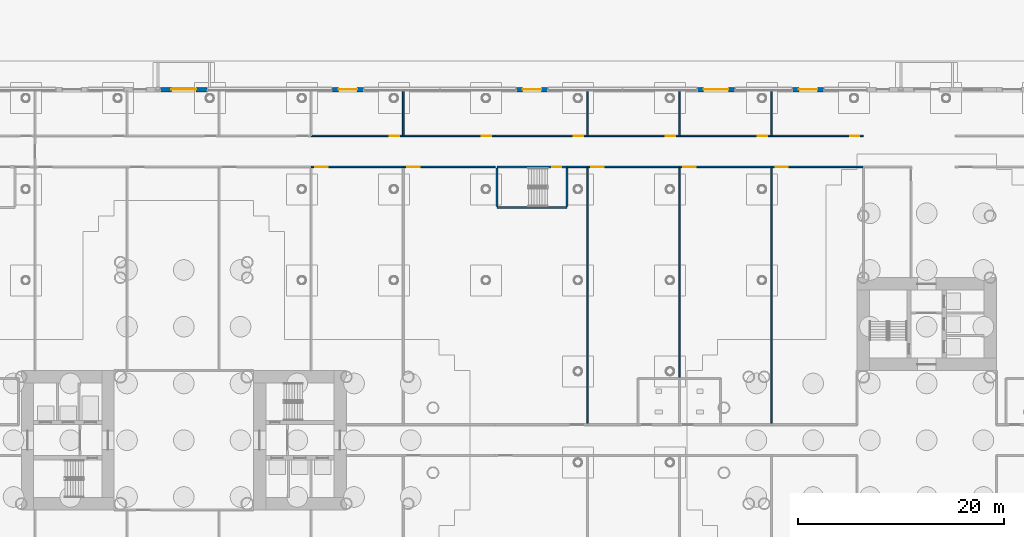
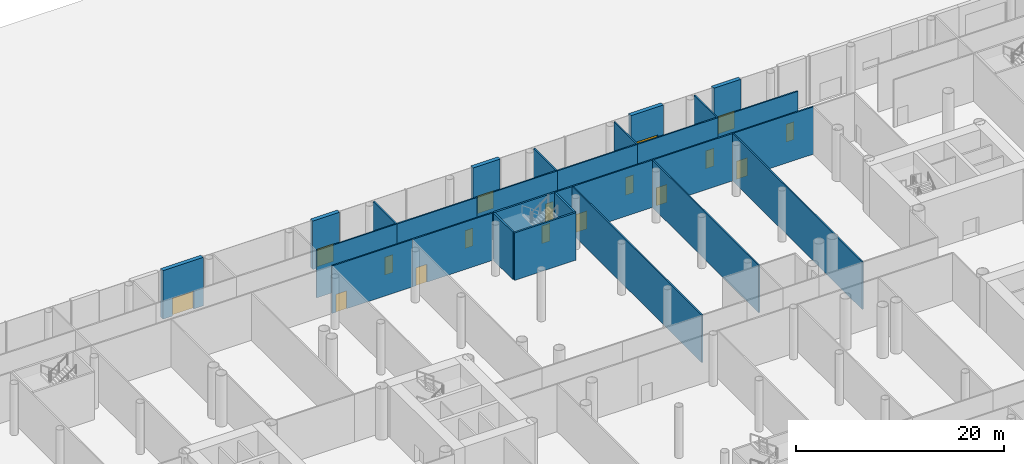
# One storey, part 35 of 75: 28 walls, 17 doors, 17 openings.
"""IFC4 building model written with IfcOpenShell, lengths in metres."""

from ifc_helpers import new_model, si_unit, direction, frame, frame_2d, origin, place, context, subcontext, project, spatial, rectangle, extrude, material, layer, layer_set, type_object, element, fill, save


model = new_model("IFC4")

# Units and contexts
model_context = context("Model", 3, precision=1e-05, world=origin(), true_north=direction((0.0, 1.0)))
body_context = subcontext(model_context, "Body", "Model", "MODEL_VIEW")
ifc_project = project(units=[si_unit("LENGTHUNIT", "METRE"), si_unit("AREAUNIT", "SQUARE_METRE"), si_unit("VOLUMEUNIT", "CUBIC_METRE"), si_unit("PLANEANGLEUNIT", "RADIAN"), si_unit("MASSUNIT", "GRAM", prefix="KILO")], contexts=[model_context])

# Site, building, storey
site_placement = place(None, origin())
site = spatial("IfcSite", under=ifc_project, at=site_placement, CompositionType="ELEMENT")
building_placement = place(site_placement, origin())
building = spatial("IfcBuilding", under=site, at=building_placement, Name="Ipe Terrace Towers", CompositionType="ELEMENT")
storey_placement = place(building_placement, origin())
storey = spatial("IfcBuildingStorey", under=building, at=storey_placement, Name="L00", CompositionType="ELEMENT", Elevation=0.0)

# Wall, opening, door
ifc_material_1 = material(Name="Gypsum board partition", Category="plasterboard")
ifc_layer_1 = layer(ifc_material_1, 0.14990234375)
ifc_layer_set_1 = layer_set([ifc_layer_1], Name="Gypsum board partition 150 mm")
wall_type_1 = type_object("IfcWallType", Name="Gypsum board partition 150 mm", PredefinedType="PARTITIONING", material=ifc_layer_set_1)
wall_1_placement = place(storey_placement, frame((-14.72998046875, 29.5, 0.0), z_axis=(0.0, 0.0, 1.0), x_axis=(-1.0, 0.0, 0.0)))
wall_1 = element("IfcWall", 1, at=wall_1_placement, inside=storey, type_object=wall_type_1, Name="Gypsum board partition T1 L00 pd-r21-w52", PredefinedType="PARTITIONING", context=body_context, shape_type="SweptSolid", body=[
    extrude(rectangle(XDim=8.919921875, YDim=0.14990234375, at=frame_2d((4.4599609375, 0.0))), origin(), (0.0, 0.0, 1.0), 5.580078125),
])
opening_1_placement = place(wall_1_placement, frame((0.39990234375, 0.0, 0.0)))
opening_1 = element("IfcOpeningElement", 2, at=opening_1_placement, cuts=wall_1, Name="Opening PD-L00-r21", PredefinedType="OPENING", context=body_context, shape_type="SweptSolid", body=[
    extrude(rectangle(XDim=0.89990234375, YDim=2.10009765625, at=frame_2d((0.449951171875, 1.050048828125))), frame((0.0, 0.0849609375, 0.0), z_axis=(0.0, -1.0, 0.0), x_axis=(1.0, 0.0, 0.0)), (0.0, 0.0, 1.0), 0.169921875),
])
ifc_material_2 = material(Name="Fire-rated timber door leaf", Category="wood")
door_type_1 = type_object("IfcDoorType", Name="Lounge door 900 x 2100 FD30S", OperationType="NOTDEFINED", PredefinedType="DOOR", material=ifc_material_2)
door_1_placement = place(opening_1_placement, origin())
door_1 = element("IfcDoor", 3, at=door_1_placement, inside=storey, type_object=door_type_1, Name="Lounge door PD-L00-r21", OperationType="SINGLE_SWING_RIGHT", OverallHeight=2.10009765625, OverallWidth=0.89990234375, PredefinedType="DOOR", context=body_context, shape_type="SweptSolid", body=[
    extrude(rectangle(XDim=0.89990234375, YDim=2.10009765625, at=frame_2d((0.449951171875, 1.050048828125))), frame((0.0, 0.02490234375, 0.0), z_axis=(0.0, -1.0, 0.0), x_axis=(1.0, 0.0, 0.0)), (0.0, 0.0, 1.0), 0.050048828125),
])
fill(opening_1, door_1)

# Wall
wall_2_placement = place(storey_placement, frame((-14.72998046875, 33.85009765625, 0.0), z_axis=(0.0, 0.0, 1.0), x_axis=(0.0, -1.0, 0.0)))
element("IfcWall", 4, at=wall_2_placement, inside=storey, type_object=wall_type_1, Name="Gypsum board partition T1 L00 pd-r21-r27-w53", PredefinedType="PARTITIONING", context=body_context, shape_type="SweptSolid", body=[
    extrude(rectangle(XDim=4.35009765625, YDim=0.14990234375, at=frame_2d((2.175048828125, 0.0))), origin(), (0.0, 0.0, 1.0), 5.580078125),
])

# Wall, opening, door
wall_3_placement = place(storey_placement, frame((-23.64990234375, 26.5, 0.0), z_axis=(0.0, 0.0, 1.0), x_axis=(1.0, 0.0, 0.0)))
wall_3 = element("IfcWall", 5, at=wall_3_placement, inside=storey, type_object=wall_type_1, Name="Gypsum board partition T1 L00 pd-r23-w57", PredefinedType="PARTITIONING", context=body_context, shape_type="SweptSolid", body=[
    extrude(rectangle(XDim=8.919921875, YDim=0.14990234375, at=frame_2d((4.4599609375, 0.0))), origin(), (0.0, 0.0, 1.0), 5.580078125),
])
opening_2_placement = place(wall_3_placement, frame((0.39990234375, 0.0, 0.0)))
opening_2 = element("IfcOpeningElement", 6, at=opening_2_placement, cuts=wall_3, Name="Opening PD-L00-r23", PredefinedType="OPENING", context=body_context, shape_type="SweptSolid", body=[
    extrude(rectangle(XDim=1.199951171875, YDim=2.10009765625, at=frame_2d((0.60009765625, 1.050048828125))), frame((0.0, 0.0849609375, 0.0), z_axis=(0.0, -1.0, 0.0), x_axis=(1.0, 0.0, 0.0)), (0.0, 0.0, 1.0), 0.169921875),
])
ifc_material_3 = material(Name="Fire-rated timber door leaf", Category="wood")
door_type_2 = type_object("IfcDoorType", Name="Lounge door 1200 x 2100 FD30S", OperationType="NOTDEFINED", PredefinedType="DOOR", material=ifc_material_3)
door_2_placement = place(opening_2_placement, origin())
door_2 = element("IfcDoor", 7, at=door_2_placement, inside=storey, type_object=door_type_2, Name="Lounge door PD-L00-r23", OperationType="SINGLE_SWING_RIGHT", OverallHeight=2.10009765625, OverallWidth=1.199951171875, PredefinedType="DOOR", context=body_context, shape_type="SweptSolid", body=[
    extrude(rectangle(XDim=1.199951171875, YDim=2.10009765625, at=frame_2d((0.60009765625, 1.050048828125))), frame((0.0, 0.02490234375, 0.0), z_axis=(0.0, -1.0, 0.0), x_axis=(1.0, 0.0, 0.0)), (0.0, 0.0, 1.0), 0.050048828125),
])
fill(opening_2, door_2)

wall_4_placement = place(storey_placement, frame((-14.72998046875, 26.5, 0.0), z_axis=(0.0, 0.0, 1.0), x_axis=(1.0, 0.0, 0.0)))
wall_4 = element("IfcWall", 8, at=wall_4_placement, inside=storey, type_object=wall_type_1, Name="Gypsum board partition T1 L00 pd-r26-w63", PredefinedType="PARTITIONING", context=body_context, shape_type="SweptSolid", body=[
    extrude(rectangle(XDim=8.919921875, YDim=0.14990234375, at=frame_2d((4.4599609375, 0.0))), origin(), (0.0, 0.0, 1.0), 5.580078125),
])
opening_3_placement = place(wall_4_placement, frame((0.39990234375, 0.0, 0.0)))
opening_3 = element("IfcOpeningElement", 9, at=opening_3_placement, cuts=wall_4, Name="Opening PD-L00-r26", PredefinedType="OPENING", context=body_context, shape_type="SweptSolid", body=[
    extrude(rectangle(XDim=1.199951171875, YDim=2.10009765625, at=frame_2d((0.60009765625, 1.050048828125))), frame((0.0, 0.0849609375, 0.0), z_axis=(0.0, -1.0, 0.0), x_axis=(1.0, 0.0, 0.0)), (0.0, 0.0, 1.0), 0.169921875),
])
door_3_placement = place(opening_3_placement, origin())
door_3 = element("IfcDoor", 10, at=door_3_placement, inside=storey, type_object=door_type_2, Name="Lounge door PD-L00-r26", OperationType="SINGLE_SWING_RIGHT", OverallHeight=2.10009765625, OverallWidth=1.199951171875, PredefinedType="DOOR", context=body_context, shape_type="SweptSolid", body=[
    extrude(rectangle(XDim=1.199951171875, YDim=2.10009765625, at=frame_2d((0.60009765625, 1.050048828125))), frame((0.0, 0.02490234375, 0.0), z_axis=(0.0, -1.0, 0.0), x_axis=(1.0, 0.0, 0.0)), (0.0, 0.0, 1.0), 0.050048828125),
])
fill(opening_3, door_3)

wall_5_placement = place(storey_placement, frame((-5.81005859375, 29.5, 0.0), z_axis=(0.0, 0.0, 1.0), x_axis=(-1.0, 0.0, 0.0)))
wall_5 = element("IfcWall", 11, at=wall_5_placement, inside=storey, type_object=wall_type_1, Name="Gypsum board partition T1 L00 pd-r27-w65", PredefinedType="PARTITIONING", context=body_context, shape_type="SweptSolid", body=[
    extrude(rectangle(XDim=8.919921875, YDim=0.14990234375, at=frame_2d((4.4599609375, 0.0))), origin(), (0.0, 0.0, 1.0), 5.580078125),
])
opening_4_placement = place(wall_5_placement, frame((0.39990234375, 0.0, 0.0)))
opening_4 = element("IfcOpeningElement", 12, at=opening_4_placement, cuts=wall_5, Name="Opening PD-L00-r27", PredefinedType="OPENING", context=body_context, shape_type="SweptSolid", body=[
    extrude(rectangle(XDim=0.89990234375, YDim=2.10009765625, at=frame_2d((0.449951171875, 1.050048828125))), frame((0.0, 0.0849609375, 0.0), z_axis=(0.0, -1.0, 0.0), x_axis=(1.0, 0.0, 0.0)), (0.0, 0.0, 1.0), 0.169921875),
])
door_4_placement = place(opening_4_placement, origin())
door_4 = element("IfcDoor", 13, at=door_4_placement, inside=storey, type_object=door_type_1, Name="Lounge door PD-L00-r27", OperationType="SINGLE_SWING_RIGHT", OverallHeight=2.10009765625, OverallWidth=0.89990234375, PredefinedType="DOOR", context=body_context, shape_type="SweptSolid", body=[
    extrude(rectangle(XDim=0.89990234375, YDim=2.10009765625, at=frame_2d((0.449951171875, 1.050048828125))), frame((0.0, 0.02490234375, 0.0), z_axis=(0.0, -1.0, 0.0), x_axis=(1.0, 0.0, 0.0)), (0.0, 0.0, 1.0), 0.050048828125),
])
fill(opening_4, door_4)

wall_6_placement = place(storey_placement, frame((3.110107421875, 29.5, 0.0), z_axis=(0.0, 0.0, 1.0), x_axis=(-1.0, 0.0, 0.0)))
wall_6 = element("IfcWall", 14, at=wall_6_placement, inside=storey, type_object=wall_type_1, Name="Gypsum board partition T2 L00 pd-r29-w2", PredefinedType="PARTITIONING", context=body_context, shape_type="SweptSolid", body=[
    extrude(rectangle(XDim=8.920166015625, YDim=0.14990234375, at=frame_2d((4.4599609375, 0.0))), origin(), (0.0, 0.0, 1.0), 5.580078125),
])
opening_5_placement = place(wall_6_placement, frame((0.39990234375, 0.0, 0.0)))
opening_5 = element("IfcOpeningElement", 15, at=opening_5_placement, cuts=wall_6, Name="Opening PD-L00-r29", PredefinedType="OPENING", context=body_context, shape_type="SweptSolid", body=[
    extrude(rectangle(XDim=0.89990234375, YDim=2.10009765625, at=frame_2d((0.449951171875, 1.050048828125))), frame((0.0, 0.0849609375, 0.0), z_axis=(0.0, -1.0, 0.0), x_axis=(1.0, 0.0, 0.0)), (0.0, 0.0, 1.0), 0.169921875),
])
door_5_placement = place(opening_5_placement, origin())
door_5 = element("IfcDoor", 16, at=door_5_placement, inside=storey, type_object=door_type_1, Name="Lounge door PD-L00-r29", OperationType="SINGLE_SWING_RIGHT", OverallHeight=2.10009765625, OverallWidth=0.89990234375, PredefinedType="DOOR", context=body_context, shape_type="SweptSolid", body=[
    extrude(rectangle(XDim=0.89990234375, YDim=2.10009765625, at=frame_2d((0.449951171875, 1.050048828125))), frame((0.0, 0.02490234375, 0.0), z_axis=(0.0, -1.0, 0.0), x_axis=(1.0, 0.0, 0.0)), (0.0, 0.0, 1.0), 0.050048828125),
])
fill(opening_5, door_5)

# Walls
wall_7_placement = place(storey_placement, frame((3.110107421875, 33.85009765625, 0.0), z_axis=(0.0, 0.0, 1.0), x_axis=(0.0, -1.0, 0.0)))
element("IfcWall", 17, at=wall_7_placement, inside=storey, type_object=wall_type_1, Name="Gypsum board partition T2 L00 pd-r29-r35-w3", PredefinedType="PARTITIONING", context=body_context, shape_type="SweptSolid", body=[
    extrude(rectangle(XDim=4.35009765625, YDim=0.14990234375, at=frame_2d((2.175048828125, 0.0))), origin(), (0.0, 0.0, 1.0), 5.580078125),
])
wall_8_placement = place(storey_placement, frame((1.14990234375, 26.5, 0.0), z_axis=(0.0, 0.0, 1.0), x_axis=(1.0, 0.0, 0.0)))
element("IfcWall", 18, at=wall_8_placement, inside=storey, type_object=wall_type_1, Name="Gypsum board partition T2 L00 pd-r31-w7", PredefinedType="PARTITIONING", context=body_context, shape_type="SweptSolid", body=[
    extrude(rectangle(XDim=1.960205078125, YDim=0.14990234375, at=frame_2d((0.97998046875, 0.0))), origin(), (0.0, 0.0, 1.0), 5.580078125),
])
wall_9_placement = place(storey_placement, frame((3.110107421875, 26.5, 0.0), z_axis=(0.0, 0.0, 1.0), x_axis=(0.0, -1.0, 0.0)))
element("IfcWall", 19, at=wall_9_placement, inside=storey, type_object=wall_type_1, Name="Gypsum board partition T2 L00 pd-r31-r32-w9", PredefinedType="PARTITIONING", context=body_context, shape_type="SweptSolid", body=[
    extrude(rectangle(XDim=25.0, YDim=0.14990234375, at=frame_2d((12.5, 0.0))), origin(), (0.0, 0.0, 1.0), 5.580078125),
])

# Wall, opening, door
wall_10_placement = place(storey_placement, frame((3.110107421875, 26.5, 0.0), z_axis=(0.0, 0.0, 1.0), x_axis=(1.0, 0.0, 0.0)))
wall_10 = element("IfcWall", 20, at=wall_10_placement, inside=storey, type_object=wall_type_1, Name="Gypsum board partition T2 L00 pd-r32-w11", PredefinedType="PARTITIONING", context=body_context, shape_type="SweptSolid", body=[
    extrude(rectangle(XDim=8.919921875, YDim=0.14990234375, at=frame_2d((4.4599609375, 0.0))), origin(), (0.0, 0.0, 1.0), 5.580078125),
])
opening_6_placement = place(wall_10_placement, frame((0.39990234375, 0.0, 0.0)))
opening_6 = element("IfcOpeningElement", 21, at=opening_6_placement, cuts=wall_10, Name="Opening PD-L00-r32", PredefinedType="OPENING", context=body_context, shape_type="SweptSolid", body=[
    extrude(rectangle(XDim=1.199951171875, YDim=2.10009765625, at=frame_2d((0.60009765625, 1.050048828125))), frame((0.0, 0.0849609375, 0.0), z_axis=(0.0, -1.0, 0.0), x_axis=(1.0, 0.0, 0.0)), (0.0, 0.0, 1.0), 0.169921875),
])
door_6_placement = place(opening_6_placement, origin())
door_6 = element("IfcDoor", 22, at=door_6_placement, inside=storey, type_object=door_type_2, Name="Lounge door PD-L00-r32", OperationType="SINGLE_SWING_RIGHT", OverallHeight=2.10009765625, OverallWidth=1.199951171875, PredefinedType="DOOR", context=body_context, shape_type="SweptSolid", body=[
    extrude(rectangle(XDim=1.199951171875, YDim=2.10009765625, at=frame_2d((0.60009765625, 1.050048828125))), frame((0.0, 0.02490234375, 0.0), z_axis=(0.0, -1.0, 0.0), x_axis=(1.0, 0.0, 0.0)), (0.0, 0.0, 1.0), 0.050048828125),
])
fill(opening_6, door_6)

# Wall
wall_11_placement = place(storey_placement, frame((12.030029296875, 26.5, 0.0), z_axis=(0.0, 0.0, 1.0), x_axis=(0.0, -1.0, 0.0)))
element("IfcWall", 23, at=wall_11_placement, inside=storey, type_object=wall_type_1, Name="Gypsum board partition T2 L00 pd-r32-r39-w12", PredefinedType="PARTITIONING", context=body_context, shape_type="SweptSolid", body=[
    extrude(rectangle(XDim=20.5, YDim=0.14990234375, at=frame_2d((10.25, 0.0))), origin(), (0.0, 0.0, 1.0), 5.580078125),
])

# Wall, opening, door
wall_12_placement = place(storey_placement, frame((12.030029296875, 29.5, 0.0), z_axis=(0.0, 0.0, 1.0), x_axis=(-1.0, 0.0, 0.0)))
wall_12 = element("IfcWall", 24, at=wall_12_placement, inside=storey, type_object=wall_type_1, Name="Gypsum board partition T2 L00 pd-r35-w18", PredefinedType="PARTITIONING", context=body_context, shape_type="SweptSolid", body=[
    extrude(rectangle(XDim=8.919921875, YDim=0.14990234375, at=frame_2d((4.4599609375, 0.0))), origin(), (0.0, 0.0, 1.0), 5.580078125),
])
opening_7_placement = place(wall_12_placement, frame((0.39990234375, 0.0, 0.0)))
opening_7 = element("IfcOpeningElement", 25, at=opening_7_placement, cuts=wall_12, Name="Opening PD-L00-r35", PredefinedType="OPENING", context=body_context, shape_type="SweptSolid", body=[
    extrude(rectangle(XDim=0.89990234375, YDim=2.10009765625, at=frame_2d((0.449951171875, 1.050048828125))), frame((0.0, 0.0849609375, 0.0), z_axis=(0.0, -1.0, 0.0), x_axis=(1.0, 0.0, 0.0)), (0.0, 0.0, 1.0), 0.169921875),
])
door_7_placement = place(opening_7_placement, origin())
door_7 = element("IfcDoor", 26, at=door_7_placement, inside=storey, type_object=door_type_1, Name="Lounge door PD-L00-r35", OperationType="SINGLE_SWING_RIGHT", OverallHeight=2.10009765625, OverallWidth=0.89990234375, PredefinedType="DOOR", context=body_context, shape_type="SweptSolid", body=[
    extrude(rectangle(XDim=0.89990234375, YDim=2.10009765625, at=frame_2d((0.449951171875, 1.050048828125))), frame((0.0, 0.02490234375, 0.0), z_axis=(0.0, -1.0, 0.0), x_axis=(1.0, 0.0, 0.0)), (0.0, 0.0, 1.0), 0.050048828125),
])
fill(opening_7, door_7)

# Wall
wall_13_placement = place(storey_placement, frame((12.030029296875, 33.85009765625, 0.0), z_axis=(0.0, 0.0, 1.0), x_axis=(0.0, -1.0, 0.0)))
element("IfcWall", 27, at=wall_13_placement, inside=storey, type_object=wall_type_1, Name="Gypsum board partition T2 L00 pd-r35-r38-w19", PredefinedType="PARTITIONING", context=body_context, shape_type="SweptSolid", body=[
    extrude(rectangle(XDim=4.35009765625, YDim=0.14990234375, at=frame_2d((2.175048828125, 0.0))), origin(), (0.0, 0.0, 1.0), 5.580078125),
])

# Wall, opening, door
wall_14_placement = place(storey_placement, frame((20.949951171875, 29.5, 0.0), z_axis=(0.0, 0.0, 1.0), x_axis=(-1.0, 0.0, 0.0)))
wall_14 = element("IfcWall", 28, at=wall_14_placement, inside=storey, type_object=wall_type_1, Name="Gypsum board partition T2 L00 pd-r38-w25", PredefinedType="PARTITIONING", context=body_context, shape_type="SweptSolid", body=[
    extrude(rectangle(XDim=8.919921875, YDim=0.14990234375, at=frame_2d((4.4599609375, 0.0))), origin(), (0.0, 0.0, 1.0), 5.580078125),
])
opening_8_placement = place(wall_14_placement, frame((0.39990234375, 0.0, 0.0)))
opening_8 = element("IfcOpeningElement", 29, at=opening_8_placement, cuts=wall_14, Name="Opening PD-L00-r38", PredefinedType="OPENING", context=body_context, shape_type="SweptSolid", body=[
    extrude(rectangle(XDim=0.89990234375, YDim=2.10009765625, at=frame_2d((0.449951171875, 1.050048828125))), frame((0.0, 0.0849609375, 0.0), z_axis=(0.0, -1.0, 0.0), x_axis=(1.0, 0.0, 0.0)), (0.0, 0.0, 1.0), 0.169921875),
])
door_8_placement = place(opening_8_placement, origin())
door_8 = element("IfcDoor", 30, at=door_8_placement, inside=storey, type_object=door_type_1, Name="Lounge door PD-L00-r38", OperationType="SINGLE_SWING_RIGHT", OverallHeight=2.10009765625, OverallWidth=0.89990234375, PredefinedType="DOOR", context=body_context, shape_type="SweptSolid", body=[
    extrude(rectangle(XDim=0.89990234375, YDim=2.10009765625, at=frame_2d((0.449951171875, 1.050048828125))), frame((0.0, 0.02490234375, 0.0), z_axis=(0.0, -1.0, 0.0), x_axis=(1.0, 0.0, 0.0)), (0.0, 0.0, 1.0), 0.050048828125),
])
fill(opening_8, door_8)

# Wall
wall_15_placement = place(storey_placement, frame((20.949951171875, 33.85009765625, 0.0), z_axis=(0.0, 0.0, 1.0), x_axis=(0.0, -1.0, 0.0)))
element("IfcWall", 31, at=wall_15_placement, inside=storey, type_object=wall_type_1, Name="Gypsum board partition T2 L00 pd-r38-r43-w26", PredefinedType="PARTITIONING", context=body_context, shape_type="SweptSolid", body=[
    extrude(rectangle(XDim=4.35009765625, YDim=0.14990234375, at=frame_2d((2.175048828125, 0.0))), origin(), (0.0, 0.0, 1.0), 5.580078125),
])

# Wall, opening, door
wall_16_placement = place(storey_placement, frame((12.030029296875, 26.5, 0.0), z_axis=(0.0, 0.0, 1.0), x_axis=(1.0, 0.0, 0.0)))
wall_16 = element("IfcWall", 32, at=wall_16_placement, inside=storey, type_object=wall_type_1, Name="Gypsum board partition T2 L00 pd-r39-w27", PredefinedType="PARTITIONING", context=body_context, shape_type="SweptSolid", body=[
    extrude(rectangle(XDim=8.919921875, YDim=0.14990234375, at=frame_2d((4.4599609375, 0.0))), origin(), (0.0, 0.0, 1.0), 5.580078125),
])
opening_9_placement = place(wall_16_placement, frame((0.39990234375, 0.0, 0.0)))
opening_9 = element("IfcOpeningElement", 33, at=opening_9_placement, cuts=wall_16, Name="Opening PD-L00-r39", PredefinedType="OPENING", context=body_context, shape_type="SweptSolid", body=[
    extrude(rectangle(XDim=1.199951171875, YDim=2.10009765625, at=frame_2d((0.60009765625, 1.050048828125))), frame((0.0, 0.0849609375, 0.0), z_axis=(0.0, -1.0, 0.0), x_axis=(1.0, 0.0, 0.0)), (0.0, 0.0, 1.0), 0.169921875),
])
door_9_placement = place(opening_9_placement, origin())
door_9 = element("IfcDoor", 34, at=door_9_placement, inside=storey, type_object=door_type_2, Name="Lounge door PD-L00-r39", OperationType="SINGLE_SWING_RIGHT", OverallHeight=2.10009765625, OverallWidth=1.199951171875, PredefinedType="DOOR", context=body_context, shape_type="SweptSolid", body=[
    extrude(rectangle(XDim=1.199951171875, YDim=2.10009765625, at=frame_2d((0.60009765625, 1.050048828125))), frame((0.0, 0.02490234375, 0.0), z_axis=(0.0, -1.0, 0.0), x_axis=(1.0, 0.0, 0.0)), (0.0, 0.0, 1.0), 0.050048828125),
])
fill(opening_9, door_9)

# Wall
wall_17_placement = place(storey_placement, frame((20.949951171875, 26.5, 0.0), z_axis=(0.0, 0.0, 1.0), x_axis=(0.0, -1.0, 0.0)))
element("IfcWall", 35, at=wall_17_placement, inside=storey, type_object=wall_type_1, Name="Gypsum board partition T2 L00 pd-r39-r41-w29", PredefinedType="PARTITIONING", context=body_context, shape_type="SweptSolid", body=[
    extrude(rectangle(XDim=25.0, YDim=0.14990234375, at=frame_2d((12.5, 0.0))), origin(), (0.0, 0.0, 1.0), 5.580078125),
])

# Wall, opening, door
wall_18_placement = place(storey_placement, frame((20.949951171875, 26.5, 0.0), z_axis=(0.0, 0.0, 1.0), x_axis=(1.0, 0.0, 0.0)))
wall_18 = element("IfcWall", 36, at=wall_18_placement, inside=storey, type_object=wall_type_1, Name="Gypsum board partition T2 L00 pd-r41-w34", PredefinedType="PARTITIONING", context=body_context, shape_type="SweptSolid", body=[
    extrude(rectangle(XDim=8.920166015625, YDim=0.14990234375, at=frame_2d((4.4599609375, 0.0))), origin(), (0.0, 0.0, 1.0), 5.580078125),
])
opening_10_placement = place(wall_18_placement, frame((0.39990234375, 0.0, 0.0)))
opening_10 = element("IfcOpeningElement", 37, at=opening_10_placement, cuts=wall_18, Name="Opening PD-L00-r41", PredefinedType="OPENING", context=body_context, shape_type="SweptSolid", body=[
    extrude(rectangle(XDim=1.199951171875, YDim=2.10009765625, at=frame_2d((0.60009765625, 1.050048828125))), frame((0.0, 0.0849609375, 0.0), z_axis=(0.0, -1.0, 0.0), x_axis=(1.0, 0.0, 0.0)), (0.0, 0.0, 1.0), 0.169921875),
])
door_10_placement = place(opening_10_placement, origin())
door_10 = element("IfcDoor", 38, at=door_10_placement, inside=storey, type_object=door_type_2, Name="Lounge door PD-L00-r41", OperationType="SINGLE_SWING_RIGHT", OverallHeight=2.10009765625, OverallWidth=1.199951171875, PredefinedType="DOOR", context=body_context, shape_type="SweptSolid", body=[
    extrude(rectangle(XDim=1.199951171875, YDim=2.10009765625, at=frame_2d((0.60009765625, 1.050048828125))), frame((0.0, 0.02490234375, 0.0), z_axis=(0.0, -1.0, 0.0), x_axis=(1.0, 0.0, 0.0)), (0.0, 0.0, 1.0), 0.050048828125),
])
fill(opening_10, door_10)

wall_19_placement = place(storey_placement, frame((29.8701171875, 29.5, 0.0), z_axis=(0.0, 0.0, 1.0), x_axis=(-1.0, 0.0, 0.0)))
wall_19 = element("IfcWall", 39, at=wall_19_placement, inside=storey, type_object=wall_type_1, Name="Gypsum board partition T2 L00 pd-r43-w40", PredefinedType="PARTITIONING", context=body_context, shape_type="SweptSolid", body=[
    extrude(rectangle(XDim=8.920166015625, YDim=0.14990234375, at=frame_2d((4.4599609375, 0.0))), origin(), (0.0, 0.0, 1.0), 5.580078125),
])
opening_11_placement = place(wall_19_placement, frame((0.39990234375, 0.0, 0.0)))
opening_11 = element("IfcOpeningElement", 40, at=opening_11_placement, cuts=wall_19, Name="Opening PD-L00-r43", PredefinedType="OPENING", context=body_context, shape_type="SweptSolid", body=[
    extrude(rectangle(XDim=0.89990234375, YDim=2.10009765625, at=frame_2d((0.449951171875, 1.050048828125))), frame((0.0, 0.0849609375, 0.0), z_axis=(0.0, -1.0, 0.0), x_axis=(1.0, 0.0, 0.0)), (0.0, 0.0, 1.0), 0.169921875),
])
door_11_placement = place(opening_11_placement, origin())
door_11 = element("IfcDoor", 41, at=door_11_placement, inside=storey, type_object=door_type_1, Name="Lounge door PD-L00-r43", OperationType="SINGLE_SWING_RIGHT", OverallHeight=2.10009765625, OverallWidth=0.89990234375, PredefinedType="DOOR", context=body_context, shape_type="SweptSolid", body=[
    extrude(rectangle(XDim=0.89990234375, YDim=2.10009765625, at=frame_2d((0.449951171875, 1.050048828125))), frame((0.0, 0.02490234375, 0.0), z_axis=(0.0, -1.0, 0.0), x_axis=(1.0, 0.0, 0.0)), (0.0, 0.0, 1.0), 0.050048828125),
])
fill(opening_11, door_11)

ifc_material_4 = material(Name="Concrete C40/50 with buff precast cladding", Category="concrete")
ifc_layer_2 = layer(ifc_material_4, 0.43994140625)
ifc_layer_set_2 = layer_set([ifc_layer_2], Name="PODIUM CLADDING WALL 440")
wall_type_2 = type_object("IfcWallType", Name="PODIUM CLADDING WALL 440", PredefinedType="STANDARD", material=ifc_layer_set_2)
wall_20_placement = place(storey_placement, frame((26.010009765625, 33.969970703125, 0.0), z_axis=(0.0, 0.0, 1.0), x_axis=(-1.0, 0.0, 0.0)))
wall_20 = element("IfcWall", 42, at=wall_20_placement, inside=storey, type_object=wall_type_2, Name="POD-W-L00-01l wall", PredefinedType="STANDARD", context=body_context, shape_type="SweptSolid", body=[
    extrude(rectangle(XDim=3.0, YDim=0.43994140625, at=frame_2d((1.5, 0.0))), origin(), (0.0, 0.0, 1.0), 5.699951171875),
])
opening_12_placement = place(wall_20_placement, frame((0.60009765625, 0.0, 0.0)))
opening_12 = element("IfcOpeningElement", 43, at=opening_12_placement, cuts=wall_20, Name="Opening POD-D-L00-02", PredefinedType="OPENING", context=body_context, shape_type="SweptSolid", body=[
    extrude(rectangle(XDim=1.800048828125, YDim=2.10009765625, at=frame_2d((0.89990234375, 1.050048828125))), frame((0.0, 0.22998046875, 0.0), z_axis=(0.0, -1.0, 0.0), x_axis=(1.0, 0.0, 0.0)), (0.0, 0.0, 1.0), 0.4599609375),
])
ifc_material_5 = material(Name="Aluminium alloy 6063-T6 framed glazed door", Category="aluminium")
door_type_3 = type_object("IfcDoorType", Name="STREET DOOR 1800 DOUBLE", OperationType="DOUBLE_DOOR_DOUBLE_SWING", PredefinedType="DOOR", material=ifc_material_5)
door_12_placement = place(opening_12_placement, origin())
door_12 = element("IfcDoor", 44, at=door_12_placement, inside=storey, type_object=door_type_3, Name="DS1 street door", OperationType="DOUBLE_DOOR_DOUBLE_SWING", OverallHeight=2.10009765625, OverallWidth=1.800048828125, PredefinedType="DOOR", context=body_context, shape_type="SweptSolid", body=[
    extrude(rectangle(XDim=1.800048828125, YDim=2.10009765625, at=frame_2d((0.89990234375, 1.050048828125))), frame((0.0, 0.02490234375, 0.0), z_axis=(0.0, -1.0, 0.0), x_axis=(1.0, 0.0, 0.0)), (0.0, 0.0, 1.0), 0.050048828125),
])
fill(opening_12, door_12)

wall_21_placement = place(storey_placement, frame((17.389892578125, 33.969970703125, 0.0), z_axis=(0.0, 0.0, 1.0), x_axis=(-1.0, 0.0, 0.0)))
wall_21 = element("IfcWall", 45, at=wall_21_placement, inside=storey, type_object=wall_type_2, Name="POD-W-L00-01n wall", PredefinedType="STANDARD", context=body_context, shape_type="SweptSolid", body=[
    extrude(rectangle(XDim=3.599853515625, YDim=0.43994140625, at=frame_2d((1.7998046875, 0.0))), origin(), (0.0, 0.0, 1.0), 5.699951171875),
])
opening_13_placement = place(wall_21_placement, frame((0.60009765625, 0.0, 0.0)))
opening_13 = element("IfcOpeningElement", 46, at=opening_13_placement, cuts=wall_21, Name="Opening POD-D-L00-07", PredefinedType="OPENING", context=body_context, shape_type="SweptSolid", body=[
    extrude(rectangle(XDim=2.39990234375, YDim=2.39990234375, at=frame_2d((1.199951171875, 1.199951171875))), frame((0.0, 0.22998046875, 0.0), z_axis=(0.0, -1.0, 0.0), x_axis=(1.0, 0.0, 0.0)), (0.0, 0.0, 1.0), 0.4599609375),
])
ifc_material_6 = material(Name="Aluminium alloy 6063-T6 framed glazed door", Category="aluminium")
door_type_4 = type_object("IfcDoorType", Name="SHOPFRONT DOOR 2400 x 2400 DOUBLE", OperationType="DOUBLE_DOOR_DOUBLE_SWING", PredefinedType="DOOR", material=ifc_material_6)
door_13_placement = place(opening_13_placement, origin())
door_13 = element("IfcDoor", 47, at=door_13_placement, inside=storey, type_object=door_type_4, Name="DS2 shopfront door", OperationType="DOUBLE_DOOR_DOUBLE_SWING", OverallHeight=2.39990234375, OverallWidth=2.39990234375, PredefinedType="DOOR", context=body_context, shape_type="SweptSolid", body=[
    extrude(rectangle(XDim=2.39990234375, YDim=2.39990234375, at=frame_2d((1.199951171875, 1.199951171875))), frame((0.0, 0.02490234375, 0.0), z_axis=(0.0, -1.0, 0.0), x_axis=(1.0, 0.0, 0.0)), (0.0, 0.0, 1.0), 0.050048828125),
])
fill(opening_13, door_13)

wall_22_placement = place(storey_placement, frame((-0.75, 33.969970703125, 0.0), z_axis=(0.0, 0.0, 1.0), x_axis=(-1.0, 0.0, 0.0)))
wall_22 = element("IfcWall", 48, at=wall_22_placement, inside=storey, type_object=wall_type_2, Name="POD-W-L00-01p wall", PredefinedType="STANDARD", context=body_context, shape_type="SweptSolid", body=[
    extrude(rectangle(XDim=3.0, YDim=0.43994140625, at=frame_2d((1.5, 0.0))), origin(), (0.0, 0.0, 1.0), 5.699951171875),
])
opening_14_placement = place(wall_22_placement, frame((0.60009765625, 0.0, 0.0)))
opening_14 = element("IfcOpeningElement", 49, at=opening_14_placement, cuts=wall_22, Name="Opening POD-D-L00-02", PredefinedType="OPENING", context=body_context, shape_type="SweptSolid", body=[
    extrude(rectangle(XDim=1.800048828125, YDim=2.10009765625, at=frame_2d((0.89990234375, 1.050048828125))), frame((0.0, 0.22998046875, 0.0), z_axis=(0.0, -1.0, 0.0), x_axis=(1.0, 0.0, 0.0)), (0.0, 0.0, 1.0), 0.4599609375),
])
door_14_placement = place(opening_14_placement, origin())
door_14 = element("IfcDoor", 50, at=door_14_placement, inside=storey, type_object=door_type_3, Name="DS1 street door", OperationType="DOUBLE_DOOR_DOUBLE_SWING", OverallHeight=2.10009765625, OverallWidth=1.800048828125, PredefinedType="DOOR", context=body_context, shape_type="SweptSolid", body=[
    extrude(rectangle(XDim=1.800048828125, YDim=2.10009765625, at=frame_2d((0.89990234375, 1.050048828125))), frame((0.0, 0.02490234375, 0.0), z_axis=(0.0, -1.0, 0.0), x_axis=(1.0, 0.0, 0.0)), (0.0, 0.0, 1.0), 0.050048828125),
])
fill(opening_14, door_14)

wall_23_placement = place(storey_placement, frame((-18.590087890625, 33.969970703125, 0.0), z_axis=(0.0, 0.0, 1.0), x_axis=(-1.0, 0.0, 0.0)))
wall_23 = element("IfcWall", 51, at=wall_23_placement, inside=storey, type_object=wall_type_2, Name="POD-W-L00-01r wall", PredefinedType="STANDARD", context=body_context, shape_type="SweptSolid", body=[
    extrude(rectangle(XDim=3.0, YDim=0.43994140625, at=frame_2d((1.5, 0.0))), origin(), (0.0, 0.0, 1.0), 5.699951171875),
])
opening_15_placement = place(wall_23_placement, frame((0.60009765625, 0.0, 0.0)))
opening_15 = element("IfcOpeningElement", 52, at=opening_15_placement, cuts=wall_23, Name="Opening POD-D-L00-02", PredefinedType="OPENING", context=body_context, shape_type="SweptSolid", body=[
    extrude(rectangle(XDim=1.800048828125, YDim=2.10009765625, at=frame_2d((0.89990234375, 1.050048828125))), frame((0.0, 0.22998046875, 0.0), z_axis=(0.0, -1.0, 0.0), x_axis=(1.0, 0.0, 0.0)), (0.0, 0.0, 1.0), 0.4599609375),
])
door_15_placement = place(opening_15_placement, origin())
door_15 = element("IfcDoor", 53, at=door_15_placement, inside=storey, type_object=door_type_3, Name="DS1 street door", OperationType="DOUBLE_DOOR_DOUBLE_SWING", OverallHeight=2.10009765625, OverallWidth=1.800048828125, PredefinedType="DOOR", context=body_context, shape_type="SweptSolid", body=[
    extrude(rectangle(XDim=1.800048828125, YDim=2.10009765625, at=frame_2d((0.89990234375, 1.050048828125))), frame((0.0, 0.02490234375, 0.0), z_axis=(0.0, -1.0, 0.0), x_axis=(1.0, 0.0, 0.0)), (0.0, 0.0, 1.0), 0.050048828125),
])
fill(opening_15, door_15)

wall_24_placement = place(storey_placement, frame((-33.75, 33.969970703125, 0.0), z_axis=(0.0, 0.0, 1.0), x_axis=(-1.0, 0.0, 0.0)))
wall_24 = element("IfcWall", 54, at=wall_24_placement, inside=storey, type_object=wall_type_2, Name="POD-W-L00-01t wall", PredefinedType="STANDARD", context=body_context, shape_type="SweptSolid", body=[
    extrude(rectangle(XDim=4.5, YDim=0.43994140625, at=frame_2d((2.25, 0.0))), origin(), (0.0, 0.0, 1.0), 5.699951171875),
])
opening_16_placement = place(wall_24_placement, frame((1.050048828125, 0.0, 0.0)))
opening_16 = element("IfcOpeningElement", 55, at=opening_16_placement, cuts=wall_24, Name="Opening POD-D-L00-05", PredefinedType="OPENING", context=body_context, shape_type="SweptSolid", body=[
    extrude(rectangle(XDim=2.39990234375, YDim=2.10009765625, at=frame_2d((1.199951171875, 1.050048828125))), frame((0.0, 0.22998046875, 0.0), z_axis=(0.0, -1.0, 0.0), x_axis=(1.0, 0.0, 0.0)), (0.0, 0.0, 1.0), 0.4599609375),
])
ifc_material_7 = material(Name="Aluminium alloy 6063-T6 framed glazed door", Category="aluminium")
door_type_5 = type_object("IfcDoorType", Name="ENTRANCE DOOR 2400 DOUBLE", OperationType="DOUBLE_DOOR_DOUBLE_SWING", PredefinedType="DOOR", material=ifc_material_7)
door_16_placement = place(opening_16_placement, origin())
door_16 = element("IfcDoor", 56, at=door_16_placement, inside=storey, type_object=door_type_5, Name="DE1 entrance door", OperationType="DOUBLE_DOOR_DOUBLE_SWING", OverallHeight=2.10009765625, OverallWidth=2.39990234375, PredefinedType="DOOR", context=body_context, shape_type="SweptSolid", body=[
    extrude(rectangle(XDim=2.39990234375, YDim=2.10009765625, at=frame_2d((1.199951171875, 1.050048828125))), frame((0.0, 0.02490234375, 0.0), z_axis=(0.0, -1.0, 0.0), x_axis=(1.0, 0.0, 0.0)), (0.0, 0.0, 1.0), 0.050048828125),
])
fill(opening_16, door_16)

ifc_material_8 = material(Name="Concrete C40/50", Category="concrete")
ifc_layer_3 = layer(ifc_material_8, 0.199951171875)
ifc_layer_set_3 = layer_set([ifc_layer_3], Name="RW200 PODIUM STAIR SHAFT WALL 200 C40-50")
wall_type_3 = type_object("IfcWallType", Name="RW200 PODIUM STAIR SHAFT WALL 200 C40-50", PredefinedType="SHEAR", material=ifc_layer_set_3)
wall_25_placement = place(storey_placement, frame((-5.64990234375, 26.5, 0.0), z_axis=(0.0, 0.0, 1.0), x_axis=(1.0, 0.0, 0.0)))
wall_25 = element("IfcWall", 57, at=wall_25_placement, inside=storey, type_object=wall_type_3, Name="Stair shaft wall T1 L00 ps2-c", PredefinedType="SHEAR", context=body_context, shape_type="SweptSolid", body=[
    extrude(rectangle(XDim=6.7998046875, YDim=0.199951171875, at=frame_2d((3.39990234375, 0.0))), origin(), (0.0, 0.0, 1.0), 5.580078125),
])
opening_17_placement = place(wall_25_placement, frame((5.35009765625, 0.0, 0.0)))
opening_17 = element("IfcOpeningElement", 58, at=opening_17_placement, cuts=wall_25, Name="Opening PS2-SD", PredefinedType="OPENING", context=body_context, shape_type="SweptSolid", body=[
    extrude(rectangle(XDim=0.89990234375, YDim=2.10009765625, at=frame_2d((0.449951171875, 1.050048828125))), frame((0.0, 0.10986328125, 0.0), z_axis=(0.0, -1.0, 0.0), x_axis=(1.0, 0.0, 0.0)), (0.0, 0.0, 1.0), 0.219970703125),
])
ifc_material_9 = material(Name="Fire-rated timber door leaf", Category="wood")
door_type_6 = type_object("IfcDoorType", Name="Stair door 900 x 2100 FD60", OperationType="NOTDEFINED", PredefinedType="DOOR", material=ifc_material_9)
door_17_placement = place(opening_17_placement, origin())
door_17 = element("IfcDoor", 59, at=door_17_placement, inside=storey, type_object=door_type_6, Name="Stair door PS2-SD", OperationType="SINGLE_SWING_LEFT", OverallHeight=2.10009765625, OverallWidth=0.89990234375, PredefinedType="DOOR", context=body_context, shape_type="SweptSolid", body=[
    extrude(rectangle(XDim=0.89990234375, YDim=2.10009765625, at=frame_2d((0.449951171875, 1.050048828125))), frame((0.0, 0.02490234375, 0.0), z_axis=(0.0, -1.0, 0.0), x_axis=(1.0, 0.0, 0.0)), (0.0, 0.0, 1.0), 0.050048828125),
])
fill(opening_17, door_17)

# Walls
wall_26_placement = place(storey_placement, frame((-5.64990234375, 22.550048828125, 0.0), z_axis=(0.0, 0.0, 1.0), x_axis=(1.0, 0.0, 0.0)))
element("IfcWall", 60, at=wall_26_placement, inside=storey, type_object=wall_type_3, Name="Stair shaft wall T1 L00 ps2-f", PredefinedType="SHEAR", context=body_context, shape_type="SweptSolid", body=[
    extrude(rectangle(XDim=6.7998046875, YDim=0.199951171875, at=frame_2d((3.39990234375, 0.0))), origin(), (0.0, 0.0, 1.0), 5.580078125),
])
for number, where, z_axis, x_axis, name in (
    (61, (-5.64990234375, 22.64990234375, 0.0), (0.0, 0.0, 1.0), (0.0, 1.0, 0.0), "Stair shaft wall T1 L00 ps2-w"),
    (62, (1.14990234375, 22.64990234375, 0.0), (0.0, 0.0, 1.0), (0.0, 1.0, 0.0), "Stair shaft wall T1 L00 ps2-e"),
):
    element("IfcWall", number, at=place(storey_placement, frame(where, z_axis=z_axis, x_axis=x_axis)), inside=storey, type_object=wall_type_3, Name=name, PredefinedType="SHEAR", context=body_context, shape_type="SweptSolid", body=[
        extrude(rectangle(XDim=3.75, YDim=0.199951171875, at=frame_2d((1.875, 0.0))), origin(), (0.0, 0.0, 1.0), 5.580078125),
    ])

save(model, "model.ifc")
